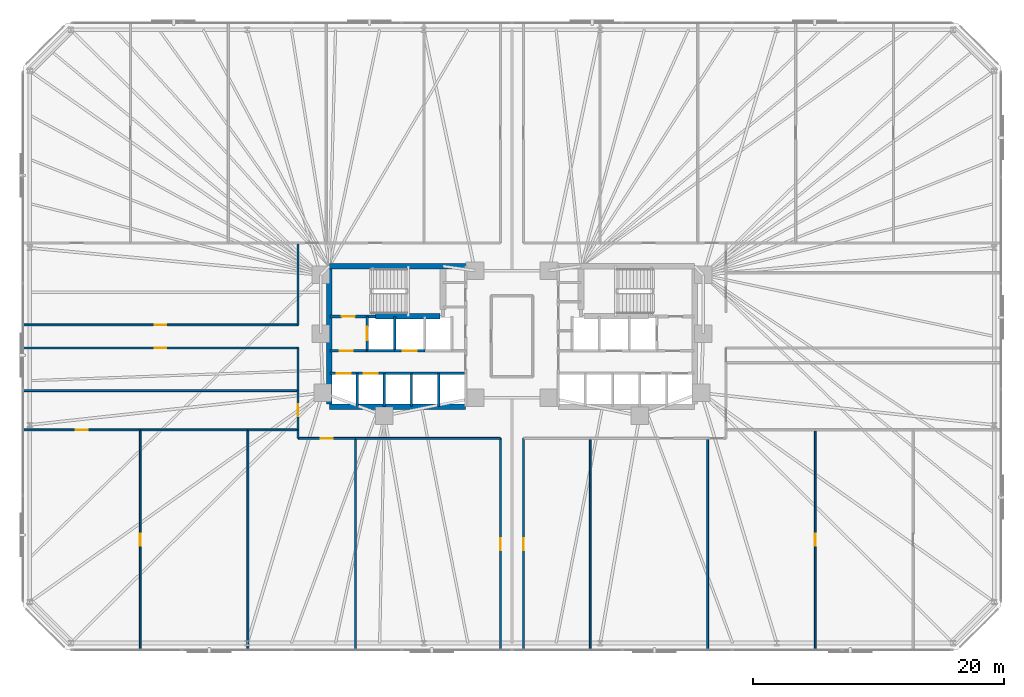
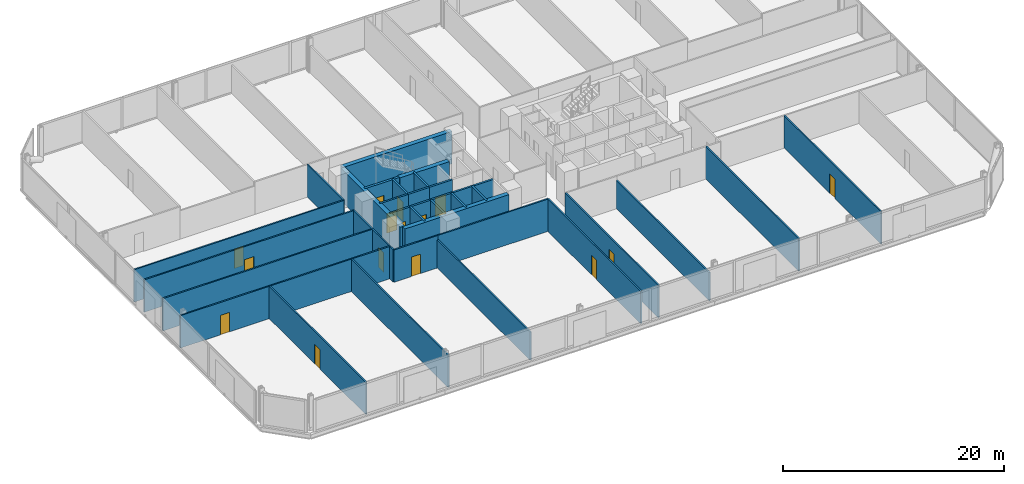
# One storey, part 12 of 17: 35 walls, 15 doors, 15 openings.
"""IFC4 building model written with IfcOpenShell, lengths in metres."""

from ifc_helpers import new_model, si_unit, direction, frame, frame_2d, origin, place, context, subcontext, project, spatial, rectangle, extrude, material, layer, layer_set, type_object, element, fill, save


model = new_model("IFC4")

# Units and contexts
model_context = context("Model", 3, precision=1e-05, world=origin(), true_north=direction((0.0, 1.0)))
body_context = subcontext(model_context, "Body", "Model", "MODEL_VIEW")
ifc_project = project(units=[si_unit("LENGTHUNIT", "METRE"), si_unit("AREAUNIT", "SQUARE_METRE"), si_unit("VOLUMEUNIT", "CUBIC_METRE"), si_unit("PLANEANGLEUNIT", "RADIAN"), si_unit("MASSUNIT", "GRAM", prefix="KILO")], contexts=[model_context])

# Site, building, storey
site_placement = place(None, origin())
site = spatial("IfcSite", under=ifc_project, at=site_placement, CompositionType="ELEMENT")
building_placement = place(site_placement, origin())
building = spatial("IfcBuilding", under=site, at=building_placement, Name="Menara Jurai Vektor", CompositionType="ELEMENT")
storey_placement = place(building_placement, frame((0.0, 0.0, 63.60009765625)))
storey = spatial("IfcBuildingStorey", under=building, at=storey_placement, Name="L15", CompositionType="ELEMENT", Elevation=63.60009765625)

# Wall, opening, door
ifc_material_1 = material(Name="Concrete C40/50", Category="concrete")
ifc_layer_1 = layer(ifc_material_1, 0.25)
ifc_layer_set_1 = layer_set([ifc_layer_1], Name="Concrete C40/50")
wall_type_1 = type_object("IfcWallType", Name="INT-WALL-CORE-250", PredefinedType="STANDARD", material=ifc_layer_set_1)
wall_1_placement = place(storey_placement, frame((-14.5, 1.60009765625, 0.0), z_axis=(0.0, 0.0, 1.0), x_axis=(1.0, 0.0, 0.0)))
wall_1 = element("IfcWall", 1, at=wall_1_placement, inside=storey, type_object=wall_type_1, Name="Interior Wall IW-250 L15", PredefinedType="STANDARD", context=body_context, shape_type="SweptSolid", body=[
    extrude(rectangle(XDim=3.60009765625, YDim=0.25, at=frame_2d((1.800048828125, 0.0))), origin(), (0.0, 0.0, 1.0), 3.574951171875),
])
opening_1_placement = place(wall_1_placement, frame((0.919921875, 0.0, 0.0)))
opening_1 = element("IfcOpeningElement", 2, at=opening_1_placement, cuts=wall_1, Name="Opening D-L15-ST1", PredefinedType="OPENING", context=body_context, shape_type="SweptSolid", body=[
    extrude(rectangle(XDim=1.050048828125, YDim=2.14990234375, at=frame_2d((0.52490234375, 1.074951171875))), frame((0.0, 0.135009765625, 0.0), z_axis=(0.0, -1.0, 0.0), x_axis=(1.0, 0.0, 0.0)), (0.0, 0.0, 1.0), 0.27001953125),
])
ifc_material_2 = material(Name="Fire-Rated Steel Door", Category="steel")
door_type_1 = type_object("IfcDoorType", Name="DR-STAIR-1050", OperationType="NOTDEFINED", PredefinedType="DOOR", material=ifc_material_2)
door_1_placement = place(opening_1_placement, origin())
door_1 = element("IfcDoor", 3, at=door_1_placement, inside=storey, type_object=door_type_1, Name="Exit Stair ST1 Door L15", OperationType="SINGLE_SWING_RIGHT", OverallHeight=2.14990234375, OverallWidth=1.050048828125, PredefinedType="DOOR", context=body_context, shape_type="SweptSolid", body=[
    extrude(rectangle(XDim=1.050048828125, YDim=2.14990234375, at=frame_2d((0.52490234375, 1.074951171875))), frame((0.0, 0.02490234375, 0.0), z_axis=(0.0, -1.0, 0.0), x_axis=(1.0, 0.0, 0.0)), (0.0, 0.0, 1.0), 0.050048828125),
])
fill(opening_1, door_1)

wall_2_placement = place(storey_placement, frame((-11.550048828125, -1.14990234375, 0.0), z_axis=(0.0, 0.0, 1.0), x_axis=(0.0, 1.0, 0.0)))
wall_2 = element("IfcWall", 4, at=wall_2_placement, inside=storey, type_object=wall_type_1, Name="Interior Wall IW-250 L15", PredefinedType="STANDARD", context=body_context, shape_type="SweptSolid", body=[
    extrude(rectangle(XDim=2.75, YDim=0.199951171875, at=frame_2d((1.375, 0.0))), origin(), (0.0, 0.0, 1.0), 3.574951171875),
])
opening_2_placement = place(wall_2_placement, frame((0.824951171875, 0.0, 0.0)))
opening_2 = element("IfcOpeningElement", 5, at=opening_2_placement, cuts=wall_2, Name="Opening LD-L15-FL1", PredefinedType="OPENING", context=body_context, shape_type="SweptSolid", body=[
    extrude(rectangle(XDim=1.10009765625, YDim=2.14990234375, at=frame_2d((0.550048828125, 1.074951171875))), frame((0.0, 0.10986328125, 0.0), z_axis=(0.0, -1.0, 0.0), x_axis=(1.0, 0.0, 0.0)), (0.0, 0.0, 1.0), 0.219970703125),
])
ifc_material_3 = material(Name="Stainless Steel Sliding Lift Landing Door", Category="steel")
door_type_2 = type_object("IfcDoorType", Name="DR-LIFT-FIRE-1100", OperationType="NOTDEFINED", PredefinedType="DOOR", material=ifc_material_3)
door_2_placement = place(opening_2_placement, origin())
door_2 = element("IfcDoor", 6, at=door_2_placement, inside=storey, type_object=door_type_2, Name="Lift Landing Door FL1 L15", OperationType="SLIDING_TO_RIGHT", OverallHeight=2.14990234375, OverallWidth=1.10009765625, PredefinedType="DOOR", context=body_context, shape_type="SweptSolid", body=[
    extrude(rectangle(XDim=1.10009765625, YDim=2.14990234375, at=frame_2d((0.550048828125, 1.074951171875))), frame((0.0, 0.02490234375, 0.0), z_axis=(0.0, -1.0, 0.0), x_axis=(1.0, 0.0, 0.0)), (0.0, 0.0, 1.0), 0.050048828125),
])
fill(opening_2, door_2)

# Wall
wall_3_placement = place(storey_placement, frame((-9.35009765625, -1.14990234375, 0.0), z_axis=(0.0, 0.0, 1.0), x_axis=(0.0, 1.0, 0.0)))
element("IfcWall", 7, at=wall_3_placement, inside=storey, type_object=wall_type_1, Name="Interior Wall IW-250 L15", PredefinedType="STANDARD", context=body_context, shape_type="SweptSolid", body=[
    extrude(rectangle(XDim=2.75, YDim=0.199951171875, at=frame_2d((1.375, 0.0))), origin(), (0.0, 0.0, 1.0), 3.574951171875),
])

# Wall, opening, door
wall_4_placement = place(storey_placement, frame((-14.5, -1.14990234375, 0.0), z_axis=(0.0, 0.0, 1.0), x_axis=(1.0, 0.0, 0.0)))
wall_4 = element("IfcWall", 8, at=wall_4_placement, inside=storey, type_object=wall_type_1, Name="Interior Wall IW-250 L15", PredefinedType="STANDARD", context=body_context, shape_type="SweptSolid", body=[
    extrude(rectangle(XDim=2.949951171875, YDim=0.199951171875, at=frame_2d((1.47509765625, 0.0))), origin(), (0.0, 0.0, 1.0), 3.574951171875),
])
opening_3_placement = place(wall_4_placement, frame((0.75, 0.0, 0.0)))
opening_3 = element("IfcOpeningElement", 9, at=opening_3_placement, cuts=wall_4, Name="Opening D-L15-FFW", PredefinedType="OPENING", context=body_context, shape_type="SweptSolid", body=[
    extrude(rectangle(XDim=1.050048828125, YDim=2.179931640625, at=frame_2d((0.52490234375, 1.08984375))), frame((0.0, 0.10986328125, 0.0), z_axis=(0.0, -1.0, 0.0), x_axis=(1.0, 0.0, 0.0)), (0.0, 0.0, 1.0), 0.219970703125),
])
ifc_material_4 = material(Name="Fire-Rated Timber Door", Category="wood")
door_type_3 = type_object("IfcDoorType", Name="DR-LOBBY-1050", OperationType="NOTDEFINED", PredefinedType="DOOR", material=ifc_material_4)
door_3_placement = place(opening_3_placement, origin())
door_3 = element("IfcDoor", 10, at=door_3_placement, inside=storey, type_object=door_type_3, Name="Fire Lift Lobby Door W L15", OperationType="SINGLE_SWING_RIGHT", OverallHeight=2.179931640625, OverallWidth=1.050048828125, PredefinedType="DOOR", context=body_context, shape_type="SweptSolid", body=[
    extrude(rectangle(XDim=1.050048828125, YDim=2.179931640625, at=frame_2d((0.52490234375, 1.08984375))), frame((0.0, 0.02490234375, 0.0), z_axis=(0.0, -1.0, 0.0), x_axis=(1.0, 0.0, 0.0)), (0.0, 0.0, 1.0), 0.050048828125),
])
fill(opening_3, door_3)

# Walls
wall_5_placement = place(storey_placement, frame((-11.550048828125, -1.14990234375, 0.0), z_axis=(0.0, 0.0, 1.0), x_axis=(1.0, 0.0, 0.0)))
element("IfcWall", 11, at=wall_5_placement, inside=storey, type_object=wall_type_1, Name="Interior Wall IW-250 L15", PredefinedType="STANDARD", context=body_context, shape_type="SweptSolid", body=[
    extrude(rectangle(XDim=2.199951171875, YDim=0.199951171875, at=frame_2d((1.10009765625, 0.0))), origin(), (0.0, 0.0, 1.0), 3.574951171875),
])
ifc_material_5 = material(Name="Gypsum Fireboard Partition", Category="gypsum")
ifc_layer_2 = layer(ifc_material_5, 0.14990234375)
ifc_layer_set_2 = layer_set([ifc_layer_2], Name="Gypsum Fireboard Partition")
wall_type_2 = type_object("IfcWallType", Name="INT-WALL-CORR-150", PredefinedType="PARTITIONING", material=ifc_layer_set_2)
wall_6_placement = place(storey_placement, frame((-17.05908203125, -8.1298828125, 0.0), z_axis=(0.0, 0.0, 1.0), x_axis=(0.0, 1.0, 0.0)))
element("IfcWall", 12, at=wall_6_placement, inside=storey, type_object=wall_type_2, Name="Interior Wall IW-150 L15", PredefinedType="PARTITIONING", context=body_context, shape_type="SweptSolid", body=[
    extrude(rectangle(XDim=0.679931640625, YDim=0.14990234375, at=frame_2d((0.33984375, 0.0))), origin(), (0.0, 0.0, 1.0), 3.574951171875),
])

# Wall, opening, door
wall_7_placement = place(storey_placement, frame((-17.05908203125, -8.1298828125, 0.0), z_axis=(0.0, 0.0, 1.0), x_axis=(1.0, 0.0, 0.0)))
wall_7 = element("IfcWall", 13, at=wall_7_placement, inside=storey, type_object=wall_type_2, Name="Interior Wall IW-150 L15", PredefinedType="PARTITIONING", context=body_context, shape_type="SweptSolid", body=[
    extrude(rectangle(XDim=4.5791015625, YDim=0.14990234375, at=frame_2d((2.28955078125, 0.0))), origin(), (0.0, 0.0, 1.0), 3.574951171875),
])
opening_4_placement = place(wall_7_placement, frame((1.814453125, 0.0, 0.0)))
opening_4 = element("IfcOpeningElement", 14, at=opening_4_placement, cuts=wall_7, Name="Opening D15-13", PredefinedType="OPENING", context=body_context, shape_type="SweptSolid", body=[
    extrude(rectangle(XDim=0.949951171875, YDim=2.14990234375, at=frame_2d((0.47509765625, 1.074951171875))), frame((0.0, 0.0849609375, 0.0), z_axis=(0.0, -1.0, 0.0), x_axis=(1.0, 0.0, 0.0)), (0.0, 0.0, 1.0), 0.169921875),
])
ifc_material_6 = material(Name="Solid Core Timber Fire Door", Category="wood")
door_type_4 = type_object("IfcDoorType", Name="DR-ENTRY-950", OperationType="NOTDEFINED", PredefinedType="DOOR", material=ifc_material_6)
door_4_placement = place(opening_4_placement, origin())
door_4 = element("IfcDoor", 15, at=door_4_placement, inside=storey, type_object=door_type_4, Name="Interior Door D15-13", OperationType="SINGLE_SWING_RIGHT", OverallHeight=2.14990234375, OverallWidth=0.949951171875, PredefinedType="DOOR", context=body_context, shape_type="SweptSolid", body=[
    extrude(rectangle(XDim=0.949951171875, YDim=2.14990234375, at=frame_2d((0.47509765625, 1.074951171875))), frame((0.0, 0.02490234375, 0.0), z_axis=(0.0, -1.0, 0.0), x_axis=(1.0, 0.0, 0.0)), (0.0, 0.0, 1.0), 0.050048828125),
])
fill(opening_4, door_4)

# Wall
wall_8_placement = place(storey_placement, frame((-12.47998046875, -8.1298828125, 0.0), z_axis=(0.0, 0.0, 1.0), x_axis=(1.0, 0.0, 0.0)))
element("IfcWall", 16, at=wall_8_placement, inside=storey, type_object=wall_type_2, Name="Interior Wall IW-150 L15", PredefinedType="PARTITIONING", context=body_context, shape_type="SweptSolid", body=[
    extrude(rectangle(XDim=11.56005859375, YDim=0.14990234375, at=frame_2d((5.780029296875, 0.0))), origin(), (0.0, 0.0, 1.0), 3.574951171875),
])

# Wall, opening, door
wall_9_placement = place(storey_placement, frame((-0.919921875, -25.0, 0.0), z_axis=(0.0, 0.0, 1.0), x_axis=(0.0, 1.0, 0.0)))
wall_9 = element("IfcWall", 17, at=wall_9_placement, inside=storey, type_object=wall_type_2, Name="Interior Wall IW-150 L15", PredefinedType="PARTITIONING", context=body_context, shape_type="SweptSolid", body=[
    extrude(rectangle(XDim=16.8701171875, YDim=0.14990234375, at=frame_2d((8.43505859375, 0.0))), origin(), (0.0, 0.0, 1.0), 3.574951171875),
])
opening_5_placement = place(wall_9_placement, frame((7.9599609375, 0.0, 0.0)))
opening_5 = element("IfcOpeningElement", 18, at=opening_5_placement, cuts=wall_9, Name="Opening D15-14", PredefinedType="OPENING", context=body_context, shape_type="SweptSolid", body=[
    extrude(rectangle(XDim=0.949951171875, YDim=2.14990234375, at=frame_2d((0.47509765625, 1.074951171875))), frame((0.0, 0.0849609375, 0.0), z_axis=(0.0, -1.0, 0.0), x_axis=(1.0, 0.0, 0.0)), (0.0, 0.0, 1.0), 0.169921875),
])
door_5_placement = place(opening_5_placement, origin())
door_5 = element("IfcDoor", 19, at=door_5_placement, inside=storey, type_object=door_type_4, Name="Interior Door D15-14", OperationType="SINGLE_SWING_LEFT", OverallHeight=2.14990234375, OverallWidth=0.949951171875, PredefinedType="DOOR", context=body_context, shape_type="SweptSolid", body=[
    extrude(rectangle(XDim=0.949951171875, YDim=2.14990234375, at=frame_2d((0.47509765625, 1.074951171875))), frame((0.0, 0.02490234375, 0.0), z_axis=(0.0, -1.0, 0.0), x_axis=(1.0, 0.0, 0.0)), (0.0, 0.0, 1.0), 0.050048828125),
])
fill(opening_5, door_5)

wall_10_placement = place(storey_placement, frame((0.919921875, -25.0, 0.0), z_axis=(0.0, 0.0, 1.0), x_axis=(0.0, 1.0, 0.0)))
wall_10 = element("IfcWall", 20, at=wall_10_placement, inside=storey, type_object=wall_type_2, Name="Interior Wall IW-150 L15", PredefinedType="PARTITIONING", context=body_context, shape_type="SweptSolid", body=[
    extrude(rectangle(XDim=16.8701171875, YDim=0.14990234375, at=frame_2d((8.43505859375, 0.0))), origin(), (0.0, 0.0, 1.0), 3.574951171875),
])
opening_6_placement = place(wall_10_placement, frame((7.9599609375, 0.0, 0.0)))
opening_6 = element("IfcOpeningElement", 21, at=opening_6_placement, cuts=wall_10, Name="Opening D15-15", PredefinedType="OPENING", context=body_context, shape_type="SweptSolid", body=[
    extrude(rectangle(XDim=0.949951171875, YDim=2.14990234375, at=frame_2d((0.47509765625, 1.074951171875))), frame((0.0, 0.0849609375, 0.0), z_axis=(0.0, -1.0, 0.0), x_axis=(1.0, 0.0, 0.0)), (0.0, 0.0, 1.0), 0.169921875),
])
door_6_placement = place(opening_6_placement, origin())
door_6 = element("IfcDoor", 22, at=door_6_placement, inside=storey, type_object=door_type_4, Name="Interior Door D15-15", OperationType="SINGLE_SWING_RIGHT", OverallHeight=2.14990234375, OverallWidth=0.949951171875, PredefinedType="DOOR", context=body_context, shape_type="SweptSolid", body=[
    extrude(rectangle(XDim=0.949951171875, YDim=2.14990234375, at=frame_2d((0.47509765625, 1.074951171875))), frame((0.0, 0.02490234375, 0.0), z_axis=(0.0, -1.0, 0.0), x_axis=(1.0, 0.0, 0.0)), (0.0, 0.0, 1.0), 0.050048828125),
])
fill(opening_6, door_6)

wall_11_placement = place(storey_placement, frame((-17.05908203125, -7.449951171875, 0.0), z_axis=(0.0, 0.0, 1.0), x_axis=(0.0, 1.0, 0.0)))
wall_11 = element("IfcWall", 23, at=wall_11_placement, inside=storey, type_object=wall_type_2, Name="Interior Wall IW-150 L15", PredefinedType="PARTITIONING", context=body_context, shape_type="SweptSolid", body=[
    extrude(rectangle(XDim=3.12890625, YDim=0.14990234375, at=frame_2d((1.564453125, 0.0))), origin(), (0.0, 0.0, 1.0), 3.574951171875),
])
opening_7_placement = place(wall_11_placement, frame((1.089599609375, 0.0, 0.0)))
opening_7 = element("IfcOpeningElement", 24, at=opening_7_placement, cuts=wall_11, Name="Opening D15-18", PredefinedType="OPENING", context=body_context, shape_type="SweptSolid", body=[
    extrude(rectangle(XDim=0.949951171875, YDim=2.14990234375, at=frame_2d((0.47509765625, 1.074951171875))), frame((0.0, 0.0849609375, 0.0), z_axis=(0.0, -1.0, 0.0), x_axis=(1.0, 0.0, 0.0)), (0.0, 0.0, 1.0), 0.169921875),
])
door_7_placement = place(opening_7_placement, origin())
door_7 = element("IfcDoor", 25, at=door_7_placement, inside=storey, type_object=door_type_4, Name="Interior Door D15-18", OperationType="SINGLE_SWING_LEFT", OverallHeight=2.14990234375, OverallWidth=0.949951171875, PredefinedType="DOOR", context=body_context, shape_type="SweptSolid", body=[
    extrude(rectangle(XDim=0.949951171875, YDim=2.14990234375, at=frame_2d((0.47509765625, 1.074951171875))), frame((0.0, 0.02490234375, 0.0), z_axis=(0.0, -1.0, 0.0), x_axis=(1.0, 0.0, 0.0)), (0.0, 0.0, 1.0), 0.050048828125),
])
fill(opening_7, door_7)

wall_12_placement = place(storey_placement, frame((-39.0, -0.919921875, 0.0), z_axis=(0.0, 0.0, 1.0), x_axis=(1.0, 0.0, 0.0)))
wall_12 = element("IfcWall", 26, at=wall_12_placement, inside=storey, type_object=wall_type_2, Name="Interior Wall IW-150 L15", PredefinedType="PARTITIONING", context=body_context, shape_type="SweptSolid", body=[
    extrude(rectangle(XDim=21.94091796875, YDim=0.14990234375, at=frame_2d((10.970458984375, 0.0))), origin(), (0.0, 0.0, 1.0), 3.574951171875),
])
opening_8_placement = place(wall_12_placement, frame((10.49560546875, 0.0, 0.0)))
opening_8 = element("IfcOpeningElement", 27, at=opening_8_placement, cuts=wall_12, Name="Opening D15-19", PredefinedType="OPENING", context=body_context, shape_type="SweptSolid", body=[
    extrude(rectangle(XDim=0.949951171875, YDim=2.14990234375, at=frame_2d((0.47509765625, 1.074951171875))), frame((0.0, 0.0849609375, 0.0), z_axis=(0.0, -1.0, 0.0), x_axis=(1.0, 0.0, 0.0)), (0.0, 0.0, 1.0), 0.169921875),
])
door_8_placement = place(opening_8_placement, origin())
door_8 = element("IfcDoor", 28, at=door_8_placement, inside=storey, type_object=door_type_4, Name="Interior Door D15-19", OperationType="SINGLE_SWING_RIGHT", OverallHeight=2.14990234375, OverallWidth=0.949951171875, PredefinedType="DOOR", context=body_context, shape_type="SweptSolid", body=[
    extrude(rectangle(XDim=0.949951171875, YDim=2.14990234375, at=frame_2d((0.47509765625, 1.074951171875))), frame((0.0, 0.02490234375, 0.0), z_axis=(0.0, -1.0, 0.0), x_axis=(1.0, 0.0, 0.0)), (0.0, 0.0, 1.0), 0.050048828125),
])
fill(opening_8, door_8)

# Wall
wall_13_placement = place(storey_placement, frame((-17.05908203125, -4.321044921875, 0.0), z_axis=(0.0, 0.0, 1.0), x_axis=(0.0, 1.0, 0.0)))
element("IfcWall", 29, at=wall_13_placement, inside=storey, type_object=wall_type_2, Name="Interior Wall IW-150 L15", PredefinedType="PARTITIONING", context=body_context, shape_type="SweptSolid", body=[
    extrude(rectangle(XDim=3.401123046875, YDim=0.14990234375, at=frame_2d((1.70068359375, 0.0))), origin(), (0.0, 0.0, 1.0), 3.574951171875),
])

# Wall, opening, door
wall_14_placement = place(storey_placement, frame((-39.0, 0.919921875, 0.0), z_axis=(0.0, 0.0, 1.0), x_axis=(1.0, 0.0, 0.0)))
wall_14 = element("IfcWall", 30, at=wall_14_placement, inside=storey, type_object=wall_type_2, Name="Interior Wall IW-150 L15", PredefinedType="PARTITIONING", context=body_context, shape_type="SweptSolid", body=[
    extrude(rectangle(XDim=21.94091796875, YDim=0.14990234375, at=frame_2d((10.970458984375, 0.0))), origin(), (0.0, 0.0, 1.0), 3.574951171875),
])
opening_9_placement = place(wall_14_placement, frame((10.49560546875, 0.0, 0.0)))
opening_9 = element("IfcOpeningElement", 31, at=opening_9_placement, cuts=wall_14, Name="Opening D15-20", PredefinedType="OPENING", context=body_context, shape_type="SweptSolid", body=[
    extrude(rectangle(XDim=0.949951171875, YDim=2.14990234375, at=frame_2d((0.47509765625, 1.074951171875))), frame((0.0, 0.0849609375, 0.0), z_axis=(0.0, -1.0, 0.0), x_axis=(1.0, 0.0, 0.0)), (0.0, 0.0, 1.0), 0.169921875),
])
door_9_placement = place(opening_9_placement, origin())
door_9 = element("IfcDoor", 32, at=door_9_placement, inside=storey, type_object=door_type_4, Name="Interior Door D15-20", OperationType="SINGLE_SWING_LEFT", OverallHeight=2.14990234375, OverallWidth=0.949951171875, PredefinedType="DOOR", context=body_context, shape_type="SweptSolid", body=[
    extrude(rectangle(XDim=0.949951171875, YDim=2.14990234375, at=frame_2d((0.47509765625, 1.074951171875))), frame((0.0, 0.02490234375, 0.0), z_axis=(0.0, -1.0, 0.0), x_axis=(1.0, 0.0, 0.0)), (0.0, 0.0, 1.0), 0.050048828125),
])
fill(opening_9, door_9)

# Wall
wall_15_placement = place(storey_placement, frame((-17.05908203125, 0.919921875, 0.0), z_axis=(0.0, 0.0, 1.0), x_axis=(0.0, 1.0, 0.0)))
element("IfcWall", 33, at=wall_15_placement, inside=storey, type_object=wall_type_2, Name="Interior Wall IW-150 L15", PredefinedType="PARTITIONING", context=body_context, shape_type="SweptSolid", body=[
    extrude(rectangle(XDim=6.530029296875, YDim=0.14990234375, at=frame_2d((3.26513671875, 0.0))), origin(), (0.0, 0.0, 1.0), 3.574951171875),
])

# Wall, opening, door
wall_16_placement = place(storey_placement, frame((-29.639892578125, -25.0, 0.0), z_axis=(0.0, 0.0, 1.0), x_axis=(0.0, 1.0, 0.0)))
wall_16 = element("IfcWall", 34, at=wall_16_placement, inside=storey, type_object=wall_type_2, Name="Interior Wall IW-150 L15", PredefinedType="PARTITIONING", context=body_context, shape_type="SweptSolid", body=[
    extrude(rectangle(XDim=17.550048828125, YDim=0.14990234375, at=frame_2d((8.77490234375, 0.0))), origin(), (0.0, 0.0, 1.0), 3.574951171875),
])
opening_10_placement = place(wall_16_placement, frame((8.300048828125, 0.0, 0.0)))
opening_10 = element("IfcOpeningElement", 35, at=opening_10_placement, cuts=wall_16, Name="Opening D15-30", PredefinedType="OPENING", context=body_context, shape_type="SweptSolid", body=[
    extrude(rectangle(XDim=0.949951171875, YDim=2.14990234375, at=frame_2d((0.47509765625, 1.074951171875))), frame((0.0, 0.0849609375, 0.0), z_axis=(0.0, -1.0, 0.0), x_axis=(1.0, 0.0, 0.0)), (0.0, 0.0, 1.0), 0.169921875),
])
door_10_placement = place(opening_10_placement, origin())
door_10 = element("IfcDoor", 36, at=door_10_placement, inside=storey, type_object=door_type_4, Name="Interior Door D15-30", OperationType="SINGLE_SWING_LEFT", OverallHeight=2.14990234375, OverallWidth=0.949951171875, PredefinedType="DOOR", context=body_context, shape_type="SweptSolid", body=[
    extrude(rectangle(XDim=0.949951171875, YDim=2.14990234375, at=frame_2d((0.47509765625, 1.074951171875))), frame((0.0, 0.02490234375, 0.0), z_axis=(0.0, -1.0, 0.0), x_axis=(1.0, 0.0, 0.0)), (0.0, 0.0, 1.0), 0.050048828125),
])
fill(opening_10, door_10)

wall_17_placement = place(storey_placement, frame((-39.0, -7.449951171875, 0.0), z_axis=(0.0, 0.0, 1.0), x_axis=(1.0, 0.0, 0.0)))
wall_17 = element("IfcWall", 37, at=wall_17_placement, inside=storey, type_object=wall_type_2, Name="Interior Wall IW-150 L15", PredefinedType="PARTITIONING", context=body_context, shape_type="SweptSolid", body=[
    extrude(rectangle(XDim=9.360107421875, YDim=0.14990234375, at=frame_2d((4.68017578125, 0.0))), origin(), (0.0, 0.0, 1.0), 3.574951171875),
])
opening_11_placement = place(wall_17_placement, frame((4.205078125, 0.0, 0.0)))
opening_11 = element("IfcOpeningElement", 38, at=opening_11_placement, cuts=wall_17, Name="Opening D15-29", PredefinedType="OPENING", context=body_context, shape_type="SweptSolid", body=[
    extrude(rectangle(XDim=0.949951171875, YDim=2.14990234375, at=frame_2d((0.47509765625, 1.074951171875))), frame((0.0, 0.0849609375, 0.0), z_axis=(0.0, -1.0, 0.0), x_axis=(1.0, 0.0, 0.0)), (0.0, 0.0, 1.0), 0.169921875),
])
door_11_placement = place(opening_11_placement, origin())
door_11 = element("IfcDoor", 39, at=door_11_placement, inside=storey, type_object=door_type_4, Name="Interior Door D15-29", OperationType="SINGLE_SWING_RIGHT", OverallHeight=2.14990234375, OverallWidth=0.949951171875, PredefinedType="DOOR", context=body_context, shape_type="SweptSolid", body=[
    extrude(rectangle(XDim=0.949951171875, YDim=2.14990234375, at=frame_2d((0.47509765625, 1.074951171875))), frame((0.0, 0.02490234375, 0.0), z_axis=(0.0, -1.0, 0.0), x_axis=(1.0, 0.0, 0.0)), (0.0, 0.0, 1.0), 0.050048828125),
])
fill(opening_11, door_11)

# Walls
wall_18_placement = place(storey_placement, frame((-21.06005859375, -25.0, 0.0), z_axis=(0.0, 0.0, 1.0), x_axis=(0.0, 1.0, 0.0)))
element("IfcWall", 40, at=wall_18_placement, inside=storey, type_object=wall_type_2, Name="Interior Wall IW-150 L15", PredefinedType="PARTITIONING", context=body_context, shape_type="SweptSolid", body=[
    extrude(rectangle(XDim=17.550048828125, YDim=0.14990234375, at=frame_2d((8.77490234375, 0.0))), origin(), (0.0, 0.0, 1.0), 3.574951171875),
])
wall_19_placement = place(storey_placement, frame((-29.639892578125, -7.449951171875, 0.0), z_axis=(0.0, 0.0, 1.0), x_axis=(1.0, 0.0, 0.0)))
element("IfcWall", 41, at=wall_19_placement, inside=storey, type_object=wall_type_2, Name="Interior Wall IW-150 L15", PredefinedType="PARTITIONING", context=body_context, shape_type="SweptSolid", body=[
    extrude(rectangle(XDim=8.579833984375, YDim=0.14990234375, at=frame_2d((4.2900390625, 0.0))), origin(), (0.0, 0.0, 1.0), 3.574951171875),
])
wall_20_placement = place(storey_placement, frame((-21.06005859375, -7.449951171875, 0.0), z_axis=(0.0, 0.0, 1.0), x_axis=(1.0, 0.0, 0.0)))
element("IfcWall", 42, at=wall_20_placement, inside=storey, type_object=wall_type_2, Name="Interior Wall IW-150 L15", PredefinedType="PARTITIONING", context=body_context, shape_type="SweptSolid", body=[
    extrude(rectangle(XDim=4.0009765625, YDim=0.14990234375, at=frame_2d((2.00048828125, 0.0))), origin(), (0.0, 0.0, 1.0), 3.574951171875),
])
wall_21_placement = place(storey_placement, frame((15.60009765625, -25.0, 0.0), z_axis=(0.0, 0.0, 1.0), x_axis=(0.0, 1.0, 0.0)))
element("IfcWall", 43, at=wall_21_placement, inside=storey, type_object=wall_type_2, Name="Interior Wall IW-150 L15", PredefinedType="PARTITIONING", context=body_context, shape_type="SweptSolid", body=[
    extrude(rectangle(XDim=16.8701171875, YDim=0.14990234375, at=frame_2d((8.43505859375, 0.0))), origin(), (0.0, 0.0, 1.0), 3.574951171875),
])

# Wall, opening, door
wall_22_placement = place(storey_placement, frame((24.179931640625, -25.0, 0.0), z_axis=(0.0, 0.0, 1.0), x_axis=(0.0, 1.0, 0.0)))
wall_22 = element("IfcWall", 44, at=wall_22_placement, inside=storey, type_object=wall_type_2, Name="Interior Wall IW-150 L15", PredefinedType="PARTITIONING", context=body_context, shape_type="SweptSolid", body=[
    extrude(rectangle(XDim=17.550048828125, YDim=0.14990234375, at=frame_2d((8.77490234375, 0.0))), origin(), (0.0, 0.0, 1.0), 3.574951171875),
])
opening_12_placement = place(wall_22_placement, frame((8.300048828125, 0.0, 0.0)))
opening_12 = element("IfcOpeningElement", 45, at=opening_12_placement, cuts=wall_22, Name="Opening D15-31", PredefinedType="OPENING", context=body_context, shape_type="SweptSolid", body=[
    extrude(rectangle(XDim=0.949951171875, YDim=2.14990234375, at=frame_2d((0.47509765625, 1.074951171875))), frame((0.0, 0.0849609375, 0.0), z_axis=(0.0, -1.0, 0.0), x_axis=(1.0, 0.0, 0.0)), (0.0, 0.0, 1.0), 0.169921875),
])
door_12_placement = place(opening_12_placement, origin())
door_12 = element("IfcDoor", 46, at=door_12_placement, inside=storey, type_object=door_type_4, Name="Interior Door D15-31", OperationType="SINGLE_SWING_RIGHT", OverallHeight=2.14990234375, OverallWidth=0.949951171875, PredefinedType="DOOR", context=body_context, shape_type="SweptSolid", body=[
    extrude(rectangle(XDim=0.949951171875, YDim=2.14990234375, at=frame_2d((0.47509765625, 1.074951171875))), frame((0.0, 0.02490234375, 0.0), z_axis=(0.0, -1.0, 0.0), x_axis=(1.0, 0.0, 0.0)), (0.0, 0.0, 1.0), 0.050048828125),
])
fill(opening_12, door_12)

# Walls
wall_23_placement = place(storey_placement, frame((-39.0, -4.321044921875, 0.0), z_axis=(0.0, 0.0, 1.0), x_axis=(1.0, 0.0, 0.0)))
element("IfcWall", 47, at=wall_23_placement, inside=storey, type_object=wall_type_2, Name="Interior Wall IW-150 L15", PredefinedType="PARTITIONING", context=body_context, shape_type="SweptSolid", body=[
    extrude(rectangle(XDim=21.94091796875, YDim=0.14990234375, at=frame_2d((10.970458984375, 0.0))), origin(), (0.0, 0.0, 1.0), 3.574951171875),
])
ifc_layer_3 = layer(ifc_material_5, 0.14990234375)
ifc_layer_set_3 = layer_set([ifc_layer_3], Name="Gypsum Fireboard Partition")
wall_type_3 = type_object("IfcWallType", Name="INT-WALL-CORR-150-H1", PredefinedType="PARTITIONING", material=ifc_layer_set_3)
for number, where, z_axis, x_axis, name in (
    (48, (-12.47998046875, -25.0, 0.0), (0.0, 0.0, 1.0), (0.0, 1.0, 0.0), "Interior Wall IW-150 L15"),
    (49, (6.239990234375, -25.0, 0.0), (0.0, 0.0, 1.0), (0.0, 1.0, 0.0), "Interior Wall IW-150 L15"),
):
    element("IfcWall", number, at=place(storey_placement, frame(where, z_axis=z_axis, x_axis=x_axis)), inside=storey, type_object=wall_type_3, Name=name, PredefinedType="PARTITIONING", context=body_context, shape_type="SweptSolid", body=[
        extrude(rectangle(XDim=16.8701171875, YDim=0.14990234375, at=frame_2d((8.43505859375, 0.0))), origin(), (0.0, 0.0, 1.0), 3.125),
    ])

# Wall, opening, door
ifc_layer_4 = layer(ifc_material_1, 0.199951171875)
ifc_layer_set_4 = layer_set([ifc_layer_4], Name="Concrete C40/50")
wall_type_4 = type_object("IfcWallType", Name="INT-WALL-SHAFT-200", PredefinedType="STANDARD", material=ifc_layer_set_4)
wall_24_placement = place(storey_placement, frame((-9.35009765625, -1.14990234375, 0.0), z_axis=(0.0, 0.0, 1.0), x_axis=(1.0, 0.0, 0.0)))
wall_24 = element("IfcWall", 50, at=wall_24_placement, inside=storey, type_object=wall_type_4, Name="Interior Wall IW-200 L15", PredefinedType="STANDARD", context=body_context, shape_type="SweptSolid", body=[
    extrude(rectangle(XDim=2.400146484375, YDim=0.199951171875, at=frame_2d((1.2001953125, 0.0))), origin(), (0.0, 0.0, 1.0), 3.574951171875),
])
opening_13_placement = place(wall_24_placement, frame((0.64990234375, 0.0, 0.0)))
opening_13 = element("IfcOpeningElement", 51, at=opening_13_placement, cuts=wall_24, Name="Opening LD-L15-SVL1", PredefinedType="OPENING", context=body_context, shape_type="SweptSolid", body=[
    extrude(rectangle(XDim=1.10009765625, YDim=2.14990234375, at=frame_2d((0.550048828125, 1.074951171875))), frame((0.0, 0.10986328125, 0.0), z_axis=(0.0, -1.0, 0.0), x_axis=(1.0, 0.0, 0.0)), (0.0, 0.0, 1.0), 0.219970703125),
])
ifc_material_7 = material(Name="Anodised Stainless Sliding Lift Landing Door", Category="steel")
door_type_5 = type_object("IfcDoorType", Name="DR-LIFT-PASS-1100", OperationType="NOTDEFINED", PredefinedType="DOOR", material=ifc_material_7)
door_13_placement = place(opening_13_placement, origin())
door_13 = element("IfcDoor", 52, at=door_13_placement, inside=storey, type_object=door_type_5, Name="Lift Landing Door SVL1 L15", OperationType="SLIDING_TO_RIGHT", OverallHeight=2.14990234375, OverallWidth=1.10009765625, PredefinedType="DOOR", context=body_context, shape_type="SweptSolid", body=[
    extrude(rectangle(XDim=1.10009765625, YDim=2.14990234375, at=frame_2d((0.550048828125, 1.074951171875))), frame((0.0, 0.02490234375, 0.0), z_axis=(0.0, -1.0, 0.0), x_axis=(1.0, 0.0, 0.0)), (0.0, 0.0, 1.0), 0.050048828125),
])
fill(opening_13, door_13)

# Wall, openings, doors
wall_25_placement = place(storey_placement, frame((-14.5, -2.949951171875, 0.0), z_axis=(0.0, 0.0, 1.0), x_axis=(1.0, 0.0, 0.0)))
wall_25 = element("IfcWall", 53, at=wall_25_placement, inside=storey, type_object=wall_type_4, Name="Interior Wall IW-200 L15", PredefinedType="STANDARD", context=body_context, shape_type="SweptSolid", body=[
    extrude(rectangle(XDim=10.800048828125, YDim=0.199951171875, at=frame_2d((5.39990234375, 0.0))), origin(), (0.0, 0.0, 1.0), 3.574951171875),
])
opening_14_placement = place(wall_25_placement, frame((0.530029296875, 0.0, 0.0)))
opening_14 = element("IfcOpeningElement", 54, at=opening_14_placement, cuts=wall_25, Name="Opening LD-L15-PL1", PredefinedType="OPENING", context=body_context, shape_type="SweptSolid", body=[
    extrude(rectangle(XDim=1.10009765625, YDim=2.14990234375, at=frame_2d((0.550048828125, 1.074951171875))), frame((0.0, 0.10986328125, 0.0), z_axis=(0.0, -1.0, 0.0), x_axis=(1.0, 0.0, 0.0)), (0.0, 0.0, 1.0), 0.219970703125),
])
opening_15_placement = place(wall_25_placement, frame((2.68994140625, 0.0, 0.0)))
opening_15 = element("IfcOpeningElement", 55, at=opening_15_placement, cuts=wall_25, Name="Opening LD-L15-PL2", PredefinedType="OPENING", context=body_context, shape_type="SweptSolid", body=[
    extrude(rectangle(XDim=1.10009765625, YDim=2.14990234375, at=frame_2d((0.550048828125, 1.074951171875))), frame((0.0, 0.10986328125, 0.0), z_axis=(0.0, -1.0, 0.0), x_axis=(1.0, 0.0, 0.0)), (0.0, 0.0, 1.0), 0.219970703125),
])
door_14_placement = place(opening_14_placement, origin())
door_14 = element("IfcDoor", 56, at=door_14_placement, inside=storey, type_object=door_type_5, Name="Lift Landing Door PL1 L15", OperationType="SLIDING_TO_RIGHT", OverallHeight=2.14990234375, OverallWidth=1.10009765625, PredefinedType="DOOR", context=body_context, shape_type="SweptSolid", body=[
    extrude(rectangle(XDim=1.10009765625, YDim=2.14990234375, at=frame_2d((0.550048828125, 1.074951171875))), frame((0.0, 0.02490234375, 0.0), z_axis=(0.0, -1.0, 0.0), x_axis=(1.0, 0.0, 0.0)), (0.0, 0.0, 1.0), 0.050048828125),
])
fill(opening_14, door_14)
door_15_placement = place(opening_15_placement, origin())
door_15 = element("IfcDoor", 57, at=door_15_placement, inside=storey, type_object=door_type_5, Name="Lift Landing Door PL2 L15", OperationType="SLIDING_TO_RIGHT", OverallHeight=2.14990234375, OverallWidth=1.10009765625, PredefinedType="DOOR", context=body_context, shape_type="SweptSolid", body=[
    extrude(rectangle(XDim=1.10009765625, YDim=2.14990234375, at=frame_2d((0.550048828125, 1.074951171875))), frame((0.0, 0.02490234375, 0.0), z_axis=(0.0, -1.0, 0.0), x_axis=(1.0, 0.0, 0.0)), (0.0, 0.0, 1.0), 0.050048828125),
])
fill(opening_15, door_15)

# Walls
wall_26_placement = place(storey_placement, frame((-5.860107421875, -5.60009765625, 0.0), z_axis=(0.0, 0.0, 1.0), x_axis=(0.0, 1.0, 0.0)))
element("IfcWall", 58, at=wall_26_placement, inside=storey, type_object=wall_type_4, Name="Interior Wall IW-200 L15", PredefinedType="STANDARD", context=body_context, shape_type="SweptSolid", body=[
    extrude(rectangle(XDim=2.650146484375, YDim=0.199951171875, at=frame_2d((1.3251953125, 0.0))), origin(), (0.0, 0.0, 1.0), 3.574951171875),
])
for number, where, z_axis, x_axis, name in (
    (59, (-12.340087890625, -5.60009765625, 0.0), (0.0, 0.0, 1.0), (0.0, 1.0, 0.0), "Interior Wall IW-200 L15"),
    (60, (-10.179931640625, -5.60009765625, 0.0), (0.0, 0.0, 1.0), (0.0, 1.0, 0.0), "Interior Wall IW-200 L15"),
    (61, (-8.02001953125, -5.60009765625, 0.0), (0.0, 0.0, 1.0), (0.0, 1.0, 0.0), "Interior Wall IW-200 L15"),
):
    element("IfcWall", number, at=place(storey_placement, frame(where, z_axis=z_axis, x_axis=x_axis)), inside=storey, type_object=wall_type_4, Name=name, PredefinedType="STANDARD", context=body_context, shape_type="SweptSolid", body=[
        extrude(rectangle(XDim=2.650146484375, YDim=0.179931640625, at=frame_2d((1.3251953125, 0.0))), origin(), (0.0, 0.0, 1.0), 3.574951171875),
    ])
ifc_material_8 = material(Name="Concrete C60/75", Category="concrete")
ifc_layer_5 = layer(ifc_material_8, 0.449951171875)
ifc_layer_set_5 = layer_set([ifc_layer_5], Name="Concrete C60/75")
wall_type_5 = type_object("IfcWallType", Name="STR-WALL-CORE450", PredefinedType="SHEAR", material=ifc_layer_set_5)
wall_27_placement = place(storey_placement, frame((-14.56005859375, 5.60009765625, 0.0), z_axis=(0.0, 0.0, 1.0), x_axis=(1.0, 0.0, 0.0)))
element("IfcWall", 62, at=wall_27_placement, inside=storey, type_object=wall_type_5, Name="Core Shear Wall CW-W-N L15", PredefinedType="SHEAR", context=body_context, shape_type="SweptSolid", body=[
    extrude(rectangle(XDim=11.41015625, YDim=0.449951171875, at=frame_2d((5.705078125, 0.0))), origin(), (0.0, 0.0, 1.0), 3.574951171875),
])
wall_28_placement = place(storey_placement, frame((-14.56005859375, -5.60009765625, 0.0), z_axis=(0.0, 0.0, 1.0), x_axis=(1.0, 0.0, 0.0)))
element("IfcWall", 63, at=wall_28_placement, inside=storey, type_object=wall_type_5, Name="Core Shear Wall CW-W-S L15", PredefinedType="SHEAR", context=body_context, shape_type="SweptSolid", body=[
    extrude(rectangle(XDim=10.860107421875, YDim=0.449951171875, at=frame_2d((5.43017578125, 0.0))), origin(), (0.0, 0.0, 1.0), 3.574951171875),
])
wall_29_placement = place(storey_placement, frame((-14.56005859375, -5.375, 0.0), z_axis=(0.0, 0.0, 1.0), x_axis=(0.0, 1.0, 0.0)))
element("IfcWall", 64, at=wall_29_placement, inside=storey, type_object=wall_type_5, Name="Core Shear Wall CW-W-W L15", PredefinedType="SHEAR", context=body_context, shape_type="SweptSolid", body=[
    extrude(rectangle(XDim=10.75, YDim=0.449951171875, at=frame_2d((5.375, 0.0))), origin(), (0.0, 0.0, 1.0), 3.574951171875),
])
wall_30_placement = place(storey_placement, frame((-10.89990234375, 1.60009765625, 0.0), z_axis=(0.0, 0.0, 1.0), x_axis=(1.0, 0.0, 0.0)))
element("IfcWall", 65, at=wall_30_placement, inside=storey, type_object=wall_type_5, Name="Core Shear Wall CW-W-STS L15", PredefinedType="SHEAR", context=body_context, shape_type="SweptSolid", body=[
    extrude(rectangle(XDim=5.14990234375, YDim=0.449951171875, at=frame_2d((2.574951171875, 0.0))), origin(), (0.0, 0.0, 1.0), 3.574951171875),
])

save(model, "model.ifc")
